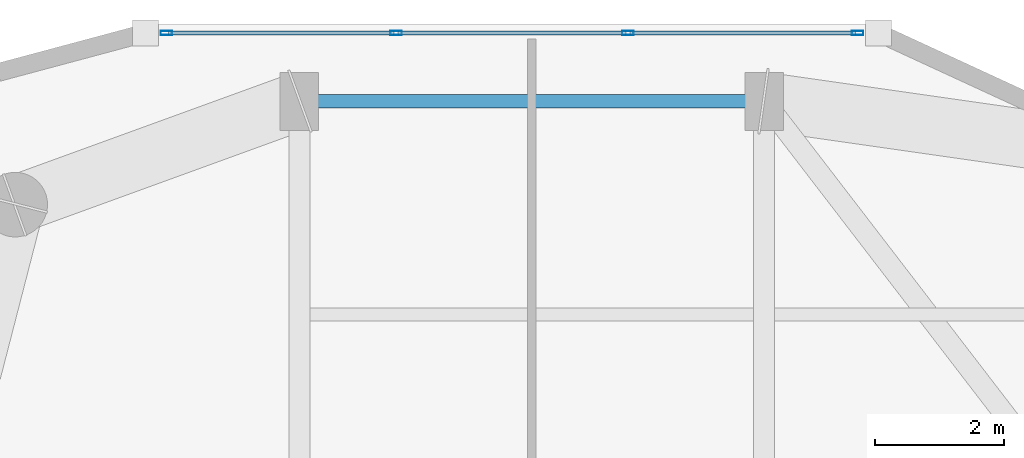
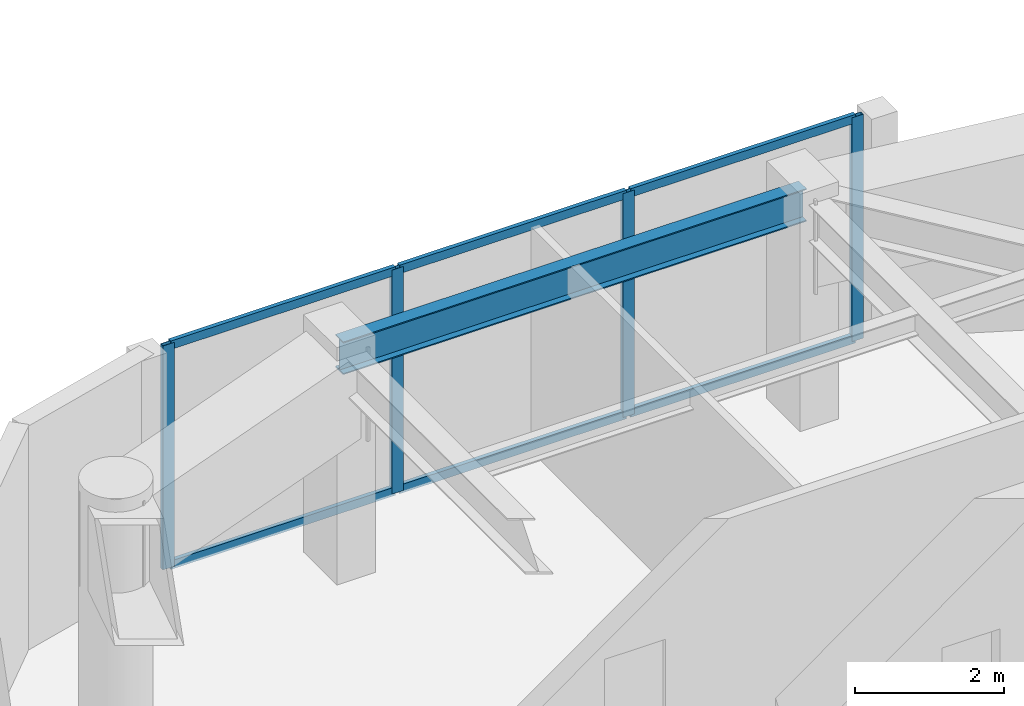
# One storey, part 6 of 15: 10 members, 1 beam, 1 element without a shape of its own.
"""IFC4 building model written with IfcOpenShell, lengths in metres."""

from ifc_helpers import new_model, si_unit, direction, frame, origin, origin_2d, place, context, subcontext, project, spatial, hollow_rectangle, i_section, extrude, material, layer, layer_set, material_profile, profile_set, type_object, element, aggregate, save


model = new_model("IFC4")

# Units and contexts
model_context = context("Model", 3, precision=1e-05, world=origin(), true_north=direction((0.0, 1.0)))
body_context = subcontext(model_context, "Body", "Model", "MODEL_VIEW")
ifc_project = project(units=[si_unit("LENGTHUNIT", "METRE"), si_unit("AREAUNIT", "SQUARE_METRE"), si_unit("VOLUMEUNIT", "CUBIC_METRE"), si_unit("PLANEANGLEUNIT", "RADIAN"), si_unit("MASSUNIT", "GRAM", prefix="KILO")], contexts=[model_context])

# Site, building, storey
site_placement = place(None, origin())
site = spatial("IfcSite", under=ifc_project, at=site_placement, CompositionType="ELEMENT")
building_placement = place(site_placement, origin())
building = spatial("IfcBuilding", under=site, at=building_placement, Name="Kiyonajd Concourse Tower", CompositionType="ELEMENT")
storey_placement = place(building_placement, frame((0.0, 0.0, 321.89990234375)))
storey = spatial("IfcBuildingStorey", under=building, at=storey_placement, Name="L81", CompositionType="ELEMENT", Elevation=321.89990234375)

# Beam
ifc_material_1 = material(Name="Steel ASTM A992 Grade 50", Category="steel")
ifc_material_profile_1 = material_profile(ifc_material_1, i_section(OverallWidth=0.2109375, OverallDepth=0.5390625, WebThickness=0.01171875, FlangeThickness=0.018798828125, at=origin_2d()), Name="W530X109")
ifc_profile_set_1 = profile_set([ifc_material_profile_1], Name="Steel ASTM A992 Grade 50")
beam_type = type_object("IfcBeamType", Name="BM-SPAN-530B", PredefinedType="SPANDREL", material=ifc_profile_set_1)
beam_placement = place(storey_placement, frame((39.60009765625, 52.199951171875, 3.41064453125), z_axis=(-1.0, 0.0, 0.0), x_axis=(0.0, -1.0, 0.0)))
element("IfcBeam", 1, at=beam_placement, inside=storey, type_object=beam_type, Name="L81 Perimeter Bundled Tube Spandrel", PredefinedType="SPANDREL", context=body_context, shape_type="SweptSolid", body=[
    extrude(i_section(OverallWidth=0.2109375, OverallDepth=0.5390625, WebThickness=0.01171875, FlangeThickness=0.018798828125, at=origin_2d()), origin(), (0.0, 0.0, 1.0), 7.2001953125),
])

# Curtain wall, members
ifc_material_2 = material(Name="Thermally Broken Anodised Aluminium", Category="aluminium")
ifc_layer = layer(ifc_material_2, 0.179931640625)
ifc_layer_set = layer_set([ifc_layer], Name="Thermally Broken Anodised Aluminium")
curtain_wall_type = type_object("IfcCurtainWallType", Name="CW-SYS-04", PredefinedType="NOTDEFINED", material=ifc_layer_set)
curtain_wall_placement = place(storey_placement, origin())
curtain_wall = element("IfcCurtainWall", 2, at=curtain_wall_placement, inside=storey, type_object=curtain_wall_type, Name="L81 Unitised Curtain Wall CW4", PredefinedType="NOTDEFINED")
ifc_material_profile_2 = material_profile(ifc_material_2, hollow_rectangle(XDim=0.06494140625, YDim=0.179931640625, WallThickness=0.00390625, at=origin_2d()), Name="MULL-65x180")
ifc_profile_set_2 = profile_set([ifc_material_profile_2], Name="Thermally Broken Anodised Aluminium")
member_type_1 = type_object("IfcMemberType", Name="MB-CW-MULL1", PredefinedType="MULLION", material=ifc_profile_set_2)
member_1_placement = place(storey_placement, frame((30.3408203125, 53.260009765625, 0.0), z_axis=(0.0, 0.0, 1.0), x_axis=(0.0, 1.0, 0.0)))
member_1 = element("IfcMember", 3, at=member_1_placement, type_object=member_type_1, Name="CW4 mullion 1", PredefinedType="MULLION", context=body_context, shape_type="SweptSolid", body=[
    extrude(hollow_rectangle(XDim=0.06494140625, YDim=0.179931640625, WallThickness=0.00390625, at=origin_2d()), origin(), (0.0, 0.0, 1.0), 3.68017578125),
])
member_2_placement = place(storey_placement, frame((33.898681640625, 53.260009765625, 0.0), z_axis=(0.0, 0.0, 1.0), x_axis=(0.0, 1.0, 0.0)))
member_2 = element("IfcMember", 4, at=member_2_placement, type_object=member_type_1, Name="CW4 mullion 2", PredefinedType="MULLION", context=body_context, shape_type="SweptSolid", body=[
    extrude(hollow_rectangle(XDim=0.06494140625, YDim=0.179931640625, WallThickness=0.00390625, at=origin_2d()), origin(), (0.0, 0.0, 1.0), 3.68017578125),
])
member_3_placement = place(storey_placement, frame((37.489013671875, 53.260009765625, 0.0), z_axis=(0.0, 0.0, 1.0), x_axis=(0.0, 1.0, 0.0)))
member_3 = element("IfcMember", 5, at=member_3_placement, type_object=member_type_1, Name="CW4 mullion 3", PredefinedType="MULLION", context=body_context, shape_type="SweptSolid", body=[
    extrude(hollow_rectangle(XDim=0.06494140625, YDim=0.179931640625, WallThickness=0.00390625, at=origin_2d()), origin(), (0.0, 0.0, 1.0), 3.68017578125),
])
member_4_placement = place(storey_placement, frame((41.046875, 53.260009765625, 0.0), z_axis=(0.0, 0.0, 1.0), x_axis=(0.0, 1.0, 0.0)))
member_4 = element("IfcMember", 6, at=member_4_placement, type_object=member_type_1, Name="CW4 mullion 4", PredefinedType="MULLION", context=body_context, shape_type="SweptSolid", body=[
    extrude(hollow_rectangle(XDim=0.06494140625, YDim=0.179931640625, WallThickness=0.00390625, at=origin_2d()), origin(), (0.0, 0.0, 1.0), 3.68017578125),
])
ifc_material_profile_3 = material_profile(ifc_material_2, hollow_rectangle(XDim=0.06494140625, YDim=0.139892578125, WallThickness=0.00390625, at=origin_2d()), Name="TRAN-65x140")
ifc_profile_set_3 = profile_set([ifc_material_profile_3], Name="Thermally Broken Anodised Aluminium")
member_type_2 = type_object("IfcMemberType", Name="MB-CW-TRAN1", PredefinedType="USERDEFINED", material=ifc_profile_set_3)
member_5_placement = place(storey_placement, frame((30.373291015625, 53.260009765625, 0.03271484375), z_axis=(1.0, 0.0, 0.0), x_axis=(0.0, 1.0, 0.0)))
member_5 = element("IfcMember", 7, at=member_5_placement, type_object=member_type_2, Name="CW4 transom 1.1", ObjectType="TRANSOM", PredefinedType="USERDEFINED", context=body_context, shape_type="SweptSolid", body=[
    extrude(hollow_rectangle(XDim=0.06494140625, YDim=0.139892578125, WallThickness=0.00390625, at=origin_2d()), origin(), (0.0, 0.0, 1.0), 3.492919921875),
])
member_6_placement = place(storey_placement, frame((30.373291015625, 53.260009765625, 3.647705078125), z_axis=(1.0, 0.0, 0.0), x_axis=(0.0, 1.0, 0.0)))
member_6 = element("IfcMember", 8, at=member_6_placement, type_object=member_type_2, Name="CW4 transom 1.2", ObjectType="TRANSOM", PredefinedType="USERDEFINED", context=body_context, shape_type="SweptSolid", body=[
    extrude(hollow_rectangle(XDim=0.06494140625, YDim=0.139892578125, WallThickness=0.00390625, at=origin_2d()), origin(), (0.0, 0.0, 1.0), 3.492919921875),
])
member_7_placement = place(storey_placement, frame((33.93115234375, 53.260009765625, 0.03271484375), z_axis=(1.0, 0.0, 0.0), x_axis=(0.0, 1.0, 0.0)))
member_7 = element("IfcMember", 9, at=member_7_placement, type_object=member_type_2, Name="CW4 transom 2.1", ObjectType="TRANSOM", PredefinedType="USERDEFINED", context=body_context, shape_type="SweptSolid", body=[
    extrude(hollow_rectangle(XDim=0.06494140625, YDim=0.139892578125, WallThickness=0.00390625, at=origin_2d()), origin(), (0.0, 0.0, 1.0), 3.525390625),
])
member_8_placement = place(storey_placement, frame((33.93115234375, 53.260009765625, 3.647705078125), z_axis=(1.0, 0.0, 0.0), x_axis=(0.0, 1.0, 0.0)))
member_8 = element("IfcMember", 10, at=member_8_placement, type_object=member_type_2, Name="CW4 transom 2.2", ObjectType="TRANSOM", PredefinedType="USERDEFINED", context=body_context, shape_type="SweptSolid", body=[
    extrude(hollow_rectangle(XDim=0.06494140625, YDim=0.139892578125, WallThickness=0.00390625, at=origin_2d()), origin(), (0.0, 0.0, 1.0), 3.525390625),
])
member_9_placement = place(storey_placement, frame((37.521484375, 53.260009765625, 0.03271484375), z_axis=(1.0, 0.0, 0.0), x_axis=(0.0, 1.0, 0.0)))
member_9 = element("IfcMember", 11, at=member_9_placement, type_object=member_type_2, Name="CW4 transom 3.1", ObjectType="TRANSOM", PredefinedType="USERDEFINED", context=body_context, shape_type="SweptSolid", body=[
    extrude(hollow_rectangle(XDim=0.06494140625, YDim=0.139892578125, WallThickness=0.00390625, at=origin_2d()), origin(), (0.0, 0.0, 1.0), 3.492919921875),
])
member_10_placement = place(storey_placement, frame((37.521484375, 53.260009765625, 3.647705078125), z_axis=(1.0, 0.0, 0.0), x_axis=(0.0, 1.0, 0.0)))
member_10 = element("IfcMember", 12, at=member_10_placement, type_object=member_type_2, Name="CW4 transom 3.2", ObjectType="TRANSOM", PredefinedType="USERDEFINED", context=body_context, shape_type="SweptSolid", body=[
    extrude(hollow_rectangle(XDim=0.06494140625, YDim=0.139892578125, WallThickness=0.00390625, at=origin_2d()), origin(), (0.0, 0.0, 1.0), 3.492919921875),
])
aggregate(curtain_wall, [member_1, member_2, member_3, member_4, member_5, member_6, member_7, member_8, member_9, member_10])

save(model, "model.ifc")
